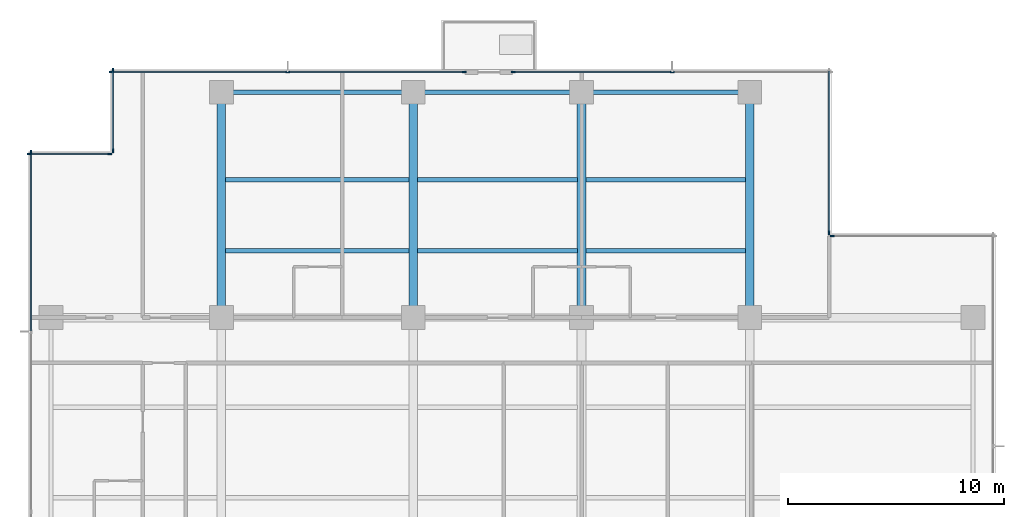
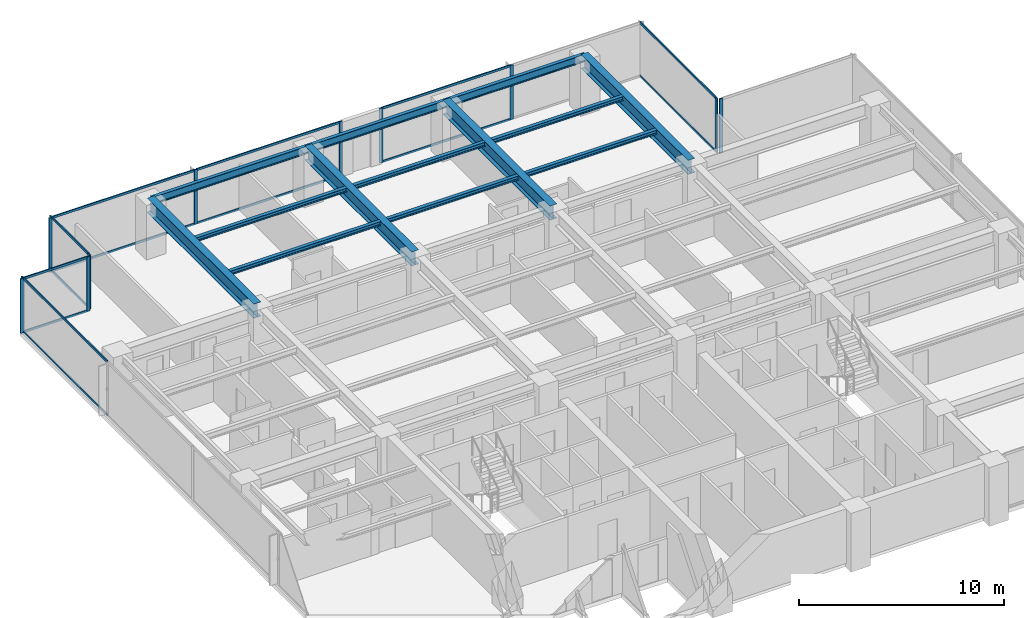
# One storey, part 4 of 15: 26 members, 13 beams, 7 elements without a shape of their own.
"""IFC4 building model written with IfcOpenShell, lengths in metres."""

from ifc_helpers import new_model, si_unit, direction, frame, origin, origin_2d, place, context, subcontext, project, spatial, rectangle, i_section, extrude, material, layer, layer_set, material_profile, profile_set, type_object, element, aggregate, save


model = new_model("IFC4")

# Units and contexts
model_context = context("Model", 3, precision=1e-05, world=origin(), true_north=direction((0.0, 1.0)))
body_context = subcontext(model_context, "Body", "Model", "MODEL_VIEW")
ifc_project = project(units=[si_unit("LENGTHUNIT", "METRE"), si_unit("AREAUNIT", "SQUARE_METRE"), si_unit("VOLUMEUNIT", "CUBIC_METRE"), si_unit("PLANEANGLEUNIT", "RADIAN"), si_unit("MASSUNIT", "GRAM", prefix="KILO")], contexts=[model_context])

# Site, building, storey
site_placement = place(None, origin())
site = spatial("IfcSite", under=ifc_project, at=site_placement, CompositionType="ELEMENT")
building_placement = place(site_placement, origin())
building = spatial("IfcBuilding", under=site, at=building_placement, Name="Qalmaran Belvedere Hotel", CompositionType="ELEMENT")
storey_placement = place(building_placement, frame((0.0, 0.0, 159.60009765625)))
storey = spatial("IfcBuildingStorey", under=building, at=storey_placement, Name="L40", CompositionType="ELEMENT", Elevation=159.60009765625)

# Beams
ifc_material_1 = material(Name="Steel S355JR", Category="steel")
ifc_material_profile_1 = material_profile(ifc_material_1, i_section(OverallWidth=0.201904296875, OverallDepth=0.2470703125, WebThickness=0.00732421875, FlangeThickness=0.010986328125, FilletRadius=0.011962890625, at=origin_2d()), Name="W250X49")
ifc_profile_set_1 = profile_set([ifc_material_profile_1], Name="Steel S355JR")
beam_type_1 = type_object("IfcBeamType", Name="BM-JST-W250X49", PredefinedType="JOIST", material=ifc_profile_set_1)
beam_1_placement = place(storey_placement, frame((20.498046875, 36.10009765625, 3.12646484375), z_axis=(1.0, 0.0, 0.0), x_axis=(0.0, 1.0, 0.0)))
element("IfcBeam", 1, at=beam_1_placement, inside=storey, type_object=beam_type_1, Name="L40 North Floor Joist 042", PredefinedType="JOIST", context=body_context, shape_type="SweptSolid", body=[
    extrude(i_section(OverallWidth=0.201904296875, OverallDepth=0.2470703125, WebThickness=0.00732421875, FlangeThickness=0.010986328125, FilletRadius=0.011962890625, at=origin_2d()), origin(), (0.0, 0.0, 1.0), 8.50390625),
])
for number, where, z_axis, x_axis, name in (
    (2, (29.39794921875, 36.10009765625, 3.12646484375), (1.0, 0.0, 0.0), (0.0, 1.0, 0.0), "L40 North Floor Joist 043"),
    (3, (37.197998046875, 36.10009765625, 3.12646484375), (1.0, 0.0, 0.0), (0.0, 1.0, 0.0), "L40 North Floor Joist 044"),
):
    element("IfcBeam", number, at=place(storey_placement, frame(where, z_axis=z_axis, x_axis=x_axis)), inside=storey, type_object=beam_type_1, Name=name, PredefinedType="JOIST", context=body_context, shape_type="SweptSolid", body=[
        extrude(i_section(OverallWidth=0.201904296875, OverallDepth=0.2470703125, WebThickness=0.00732421875, FlangeThickness=0.010986328125, FilletRadius=0.011962890625, at=origin_2d()), origin(), (0.0, 0.0, 1.0), 7.404052734375),
    ])
beam_2_placement = place(storey_placement, frame((20.498046875, 39.39990234375, 3.12646484375), z_axis=(1.0, 0.0, 0.0), x_axis=(0.0, 1.0, 0.0)))
element("IfcBeam", 4, at=beam_2_placement, inside=storey, type_object=beam_type_1, Name="L40 North Floor Joist 045", PredefinedType="JOIST", context=body_context, shape_type="SweptSolid", body=[
    extrude(i_section(OverallWidth=0.201904296875, OverallDepth=0.2470703125, WebThickness=0.00732421875, FlangeThickness=0.010986328125, FilletRadius=0.011962890625, at=origin_2d()), origin(), (0.0, 0.0, 1.0), 8.50390625),
])
for number, where, z_axis, x_axis, name in (
    (5, (29.39794921875, 39.39990234375, 3.12646484375), (1.0, 0.0, 0.0), (0.0, 1.0, 0.0), "L40 North Floor Joist 046"),
    (6, (37.197998046875, 39.39990234375, 3.12646484375), (1.0, 0.0, 0.0), (0.0, 1.0, 0.0), "L40 North Floor Joist 047"),
):
    element("IfcBeam", number, at=place(storey_placement, frame(where, z_axis=z_axis, x_axis=x_axis)), inside=storey, type_object=beam_type_1, Name=name, PredefinedType="JOIST", context=body_context, shape_type="SweptSolid", body=[
        extrude(i_section(OverallWidth=0.201904296875, OverallDepth=0.2470703125, WebThickness=0.00732421875, FlangeThickness=0.010986328125, FilletRadius=0.011962890625, at=origin_2d()), origin(), (0.0, 0.0, 1.0), 7.404052734375),
    ])
ifc_material_profile_2 = material_profile(ifc_material_1, i_section(OverallWidth=0.39990234375, OverallDepth=0.85498046875, WebThickness=0.018310546875, FlangeThickness=0.029296875, FilletRadius=0.02392578125, at=origin_2d()), Name="W840X299")
ifc_profile_set_2 = profile_set([ifc_material_profile_2], Name="Steel S355JR")
beam_type_2 = type_object("IfcBeamType", Name="BM-PG3-W840X299", PredefinedType="USERDEFINED", material=ifc_profile_set_2)
for number, where, z_axis, x_axis, name in (
    (7, (20.300048828125, 33.0, 2.822509765625), (0.0, 1.0, 0.0), (-1.0, 0.0, 0.0), "L40 North Bay Girder 15"),
    (8, (29.199951171875, 33.0, 2.822509765625), (0.0, 1.0, 0.0), (-1.0, 0.0, 0.0), "L40 North Bay Girder 17"),
    (9, (37.0, 33.0, 2.822509765625), (0.0, 1.0, 0.0), (-1.0, 0.0, 0.0), "L40 North Bay Girder 19"),
    (10, (44.800048828125, 33.0, 2.822509765625), (0.0, 1.0, 0.0), (-1.0, 0.0, 0.0), "L40 North Bay Girder 21"),
):
    element("IfcBeam", number, at=place(storey_placement, frame(where, z_axis=z_axis, x_axis=x_axis)), inside=storey, type_object=beam_type_2, Name=name, ObjectType="GIRDER", PredefinedType="USERDEFINED", context=body_context, shape_type="SweptSolid", body=[
        extrude(i_section(OverallWidth=0.39990234375, OverallDepth=0.85498046875, WebThickness=0.018310546875, FlangeThickness=0.029296875, FilletRadius=0.02392578125, at=origin_2d()), origin(), (0.0, 0.0, 1.0), 10.449951171875),
    ])
ifc_material_profile_3 = material_profile(ifc_material_1, i_section(OverallWidth=0.19189453125, OverallDepth=0.462890625, WebThickness=0.010498046875, FlangeThickness=0.017578125, FilletRadius=0.01611328125, at=origin_2d()), Name="W460X89")
ifc_profile_set_3 = profile_set([ifc_material_profile_3], Name="Steel S355JR")
beam_type_3 = type_object("IfcBeamType", Name="BM-SP2-W460X89", PredefinedType="SPANDREL", material=ifc_profile_set_3)
beam_3_placement = place(storey_placement, frame((20.300048828125, 43.449951171875, 3.018310546875), z_axis=(1.0, 0.0, 0.0), x_axis=(0.0, 1.0, 0.0)))
element("IfcBeam", 11, at=beam_3_placement, inside=storey, type_object=beam_type_3, Name="L40 Perimeter Spandrel 05", PredefinedType="SPANDREL", context=body_context, shape_type="SweptSolid", body=[
    extrude(i_section(OverallWidth=0.19189453125, OverallDepth=0.462890625, WebThickness=0.010498046875, FlangeThickness=0.017578125, FilletRadius=0.01611328125, at=origin_2d()), origin(), (0.0, 0.0, 1.0), 8.89990234375),
])
for number, where, z_axis, x_axis, name in (
    (12, (29.199951171875, 43.449951171875, 3.018310546875), (1.0, 0.0, 0.0), (0.0, 1.0, 0.0), "L40 Perimeter Spandrel 06"),
    (13, (37.0, 43.449951171875, 3.018310546875), (1.0, 0.0, 0.0), (0.0, 1.0, 0.0), "L40 Perimeter Spandrel 07"),
):
    element("IfcBeam", number, at=place(storey_placement, frame(where, z_axis=z_axis, x_axis=x_axis)), inside=storey, type_object=beam_type_3, Name=name, PredefinedType="SPANDREL", context=body_context, shape_type="SweptSolid", body=[
        extrude(i_section(OverallWidth=0.19189453125, OverallDepth=0.462890625, WebThickness=0.010498046875, FlangeThickness=0.017578125, FilletRadius=0.01611328125, at=origin_2d()), origin(), (0.0, 0.0, 1.0), 7.800048828125),
    ])

# Curtain wall, member
ifc_material_2 = material(Name="Anodised Bronze Aluminium", Category="aluminium")
ifc_layer = layer(ifc_material_2, 0.195068359375, Name="Anodised Bronze Aluminium")
ifc_layer_set = layer_set([ifc_layer], Name="Anodised Bronze Aluminium")
curtain_wall_type = type_object("IfcCurtainWallType", Name="CW4-TOWER-HIGHMID", PredefinedType="NOTDEFINED", material=ifc_layer_set)
curtain_wall_1_placement = place(storey_placement, origin())
curtain_wall_1 = element("IfcCurtainWall", 14, at=curtain_wall_1_placement, inside=storey, type_object=curtain_wall_type, Name="L40 Curtain Wall CW4", PredefinedType="NOTDEFINED")
ifc_material_profile_4 = material_profile(ifc_material_2, rectangle(XDim=0.070068359375, YDim=0.18994140625, at=origin_2d()), Name="CWM70X190")
ifc_profile_set_4 = profile_set([ifc_material_profile_4], Name="Anodised Bronze Aluminium")
member_type_1 = type_object("IfcMemberType", Name="CWM-70X190", PredefinedType="MULLION", material=ifc_profile_set_4)
member_1_placement = place(storey_placement, frame((48.635009765625, 36.780029296875, 0.0), z_axis=(0.0, 0.0, 1.0), x_axis=(0.0, -1.0, 0.0)))
member_1 = element("IfcMember", 15, at=member_1_placement, type_object=member_type_1, Name="CW4 mullion 2", PredefinedType="MULLION", context=body_context, shape_type="SweptSolid", body=[
    extrude(rectangle(XDim=0.070068359375, YDim=0.18994140625, at=origin_2d()), origin(), (0.0, 0.0, 1.0), 3.25),
])
aggregate(curtain_wall_1, [member_1])

curtain_wall_2_placement = place(storey_placement, origin())
curtain_wall_2 = element("IfcCurtainWall", 16, at=curtain_wall_2_placement, inside=storey, type_object=curtain_wall_type, Name="L40 Curtain Wall CW4", PredefinedType="NOTDEFINED")
member_2_placement = place(storey_placement, frame((48.47998046875, 36.93505859375, 0.0), z_axis=(0.0, 0.0, 1.0), x_axis=(-1.0, 0.0, 0.0)))
member_2 = element("IfcMember", 17, at=member_2_placement, type_object=member_type_1, Name="CW4 mullion 1", PredefinedType="MULLION", context=body_context, shape_type="SweptSolid", body=[
    extrude(rectangle(XDim=0.070068359375, YDim=0.18994140625, at=origin_2d()), origin(), (0.0, 0.0, 1.0), 3.25),
])

# Curtain wall, members
curtain_wall_3_placement = place(storey_placement, origin())
curtain_wall_3 = element("IfcCurtainWall", 18, at=curtain_wall_3_placement, inside=storey, type_object=curtain_wall_type, Name="L40 Curtain Wall CW4", PredefinedType="NOTDEFINED")
member_3_placement = place(storey_placement, frame((31.56494140625, 44.3798828125, 0.0), z_axis=(0.0, 0.0, 1.0), x_axis=(0.0, -1.0, 0.0)))
member_3 = element("IfcMember", 19, at=member_3_placement, type_object=member_type_1, Name="CW4 mullion 1", PredefinedType="MULLION", context=body_context, shape_type="SweptSolid", body=[
    extrude(rectangle(XDim=0.070068359375, YDim=0.18994140625, at=origin_2d()), origin(), (0.0, 0.0, 1.0), 3.25),
])
member_4_placement = place(storey_placement, frame((23.375, 44.3798828125, 0.0), z_axis=(0.0, 0.0, 1.0), x_axis=(0.0, -1.0, 0.0)))
member_4 = element("IfcMember", 20, at=member_4_placement, type_object=member_type_1, Name="CW4 mullion 2", PredefinedType="MULLION", context=body_context, shape_type="SweptSolid", body=[
    extrude(rectangle(XDim=0.070068359375, YDim=0.18994140625, at=origin_2d()), origin(), (0.0, 0.0, 1.0), 3.25),
])
member_5_placement = place(storey_placement, frame((15.18505859375, 44.3798828125, 0.0), z_axis=(0.0, 0.0, 1.0), x_axis=(0.0, -1.0, 0.0)))
member_5 = element("IfcMember", 21, at=member_5_placement, type_object=member_type_1, Name="CW4 mullion 3", PredefinedType="MULLION", context=body_context, shape_type="SweptSolid", body=[
    extrude(rectangle(XDim=0.070068359375, YDim=0.18994140625, at=origin_2d()), origin(), (0.0, 0.0, 1.0), 3.25),
])

curtain_wall_4_placement = place(storey_placement, origin())
curtain_wall_4 = element("IfcCurtainWall", 22, at=curtain_wall_4_placement, inside=storey, type_object=curtain_wall_type, Name="L40 Curtain Wall CW4", PredefinedType="NOTDEFINED")
member_6_placement = place(storey_placement, frame((41.199951171875, 44.3798828125, 0.0), z_axis=(0.0, 0.0, 1.0), x_axis=(0.0, -1.0, 0.0)))
member_6 = element("IfcMember", 23, at=member_6_placement, type_object=member_type_1, Name="CW4 mullion 2", PredefinedType="MULLION", context=body_context, shape_type="SweptSolid", body=[
    extrude(rectangle(XDim=0.070068359375, YDim=0.18994140625, at=origin_2d()), origin(), (0.0, 0.0, 1.0), 3.25),
])
member_7_placement = place(storey_placement, frame((33.8349609375, 44.3798828125, 0.0), z_axis=(0.0, 0.0, 1.0), x_axis=(0.0, -1.0, 0.0)))
member_7 = element("IfcMember", 24, at=member_7_placement, type_object=member_type_1, Name="CW4 mullion 3", PredefinedType="MULLION", context=body_context, shape_type="SweptSolid", body=[
    extrude(rectangle(XDim=0.070068359375, YDim=0.18994140625, at=origin_2d()), origin(), (0.0, 0.0, 1.0), 3.25),
])

curtain_wall_5_placement = place(storey_placement, origin())
curtain_wall_5 = element("IfcCurtainWall", 25, at=curtain_wall_5_placement, inside=storey, type_object=curtain_wall_type, Name="L40 Curtain Wall CW4", PredefinedType="NOTDEFINED")
member_8_placement = place(storey_placement, frame((15.27001953125, 44.465087890625, 0.0), z_axis=(0.0, 0.0, 1.0), x_axis=(1.0, 0.0, 0.0)))
member_8 = element("IfcMember", 26, at=member_8_placement, type_object=member_type_1, Name="CW4 mullion 1", PredefinedType="MULLION", context=body_context, shape_type="SweptSolid", body=[
    extrude(rectangle(XDim=0.070068359375, YDim=0.18994140625, at=origin_2d()), origin(), (0.0, 0.0, 1.0), 3.25),
])
member_9_placement = place(storey_placement, frame((15.27001953125, 40.735107421875, 0.0), z_axis=(0.0, 0.0, 1.0), x_axis=(1.0, 0.0, 0.0)))
member_9 = element("IfcMember", 27, at=member_9_placement, type_object=member_type_1, Name="CW4 mullion 2", PredefinedType="MULLION", context=body_context, shape_type="SweptSolid", body=[
    extrude(rectangle(XDim=0.070068359375, YDim=0.18994140625, at=origin_2d()), origin(), (0.0, 0.0, 1.0), 3.25),
])

curtain_wall_6_placement = place(storey_placement, origin())
curtain_wall_6 = element("IfcCurtainWall", 28, at=curtain_wall_6_placement, inside=storey, type_object=curtain_wall_type, Name="L40 Curtain Wall CW4", PredefinedType="NOTDEFINED")
member_10_placement = place(storey_placement, frame((15.114990234375, 40.580078125, 0.0), z_axis=(0.0, 0.0, 1.0), x_axis=(0.0, -1.0, 0.0)))
member_10 = element("IfcMember", 29, at=member_10_placement, type_object=member_type_1, Name="CW4 mullion 1", PredefinedType="MULLION", context=body_context, shape_type="SweptSolid", body=[
    extrude(rectangle(XDim=0.070068359375, YDim=0.18994140625, at=origin_2d()), origin(), (0.0, 0.0, 1.0), 3.25),
])
member_11_placement = place(storey_placement, frame((11.385009765625, 40.580078125, 0.0), z_axis=(0.0, 0.0, 1.0), x_axis=(0.0, -1.0, 0.0)))
member_11 = element("IfcMember", 30, at=member_11_placement, type_object=member_type_1, Name="CW4 mullion 2", PredefinedType="MULLION", context=body_context, shape_type="SweptSolid", body=[
    extrude(rectangle(XDim=0.070068359375, YDim=0.18994140625, at=origin_2d()), origin(), (0.0, 0.0, 1.0), 3.25),
])

# Curtain wall, member
curtain_wall_7_placement = place(storey_placement, origin())
curtain_wall_7 = element("IfcCurtainWall", 31, at=curtain_wall_7_placement, inside=storey, type_object=curtain_wall_type, Name="L40 Curtain Wall CW4", PredefinedType="NOTDEFINED")
member_12_placement = place(storey_placement, frame((11.469970703125, 40.6650390625, 0.0), z_axis=(0.0, 0.0, 1.0), x_axis=(1.0, 0.0, 0.0)))
member_12 = element("IfcMember", 32, at=member_12_placement, type_object=member_type_1, Name="CW4 mullion 1", PredefinedType="MULLION", context=body_context, shape_type="SweptSolid", body=[
    extrude(rectangle(XDim=0.070068359375, YDim=0.18994140625, at=origin_2d()), origin(), (0.0, 0.0, 1.0), 3.25),
])

# Member
ifc_material_profile_5 = material_profile(ifc_material_2, rectangle(XDim=0.06494140625, YDim=0.1298828125, at=origin_2d()), Name="CWT65X130")
ifc_profile_set_5 = profile_set([ifc_material_profile_5], Name="Anodised Bronze Aluminium")
member_type_2 = type_object("IfcMemberType", Name="CWT-65X130", PredefinedType="USERDEFINED", material=ifc_profile_set_5)
member_13_placement = place(storey_placement, frame((48.47998046875, 36.969970703125, 0.032470703125), z_axis=(0.0, 1.0, 0.0), x_axis=(-1.0, 0.0, 0.0)))
member_13 = element("IfcMember", 33, at=member_13_placement, type_object=member_type_2, Name="CW4 transom 1.1", ObjectType="TRANSOM", PredefinedType="USERDEFINED", context=body_context, shape_type="SweptSolid", body=[
    extrude(rectangle(XDim=0.06494140625, YDim=0.1298828125, at=origin_2d()), origin(), (0.0, 0.0, 1.0), 7.4599609375),
])

member_14_placement = place(storey_placement, frame((48.47998046875, 36.969970703125, 3.21728515625), z_axis=(0.0, 1.0, 0.0), x_axis=(-1.0, 0.0, 0.0)))
member_14 = element("IfcMember", 34, at=member_14_placement, type_object=member_type_2, Name="CW4 transom 1.2", ObjectType="TRANSOM", PredefinedType="USERDEFINED", context=body_context, shape_type="SweptSolid", body=[
    extrude(rectangle(XDim=0.06494140625, YDim=0.1298828125, at=origin_2d()), origin(), (0.0, 0.0, 1.0), 7.4599609375),
])

aggregate(curtain_wall_2, [member_2, member_13, member_14])

member_15_placement = place(storey_placement, frame((31.530029296875, 44.3798828125, 0.032470703125), z_axis=(-1.0, 0.0, 0.0), x_axis=(0.0, -1.0, 0.0)))
member_15 = element("IfcMember", 35, at=member_15_placement, type_object=member_type_2, Name="CW4 transom 1.1", ObjectType="TRANSOM", PredefinedType="USERDEFINED", context=body_context, shape_type="SweptSolid", body=[
    extrude(rectangle(XDim=0.06494140625, YDim=0.1298828125, at=origin_2d()), origin(), (0.0, 0.0, 1.0), 8.1201171875),
])

member_16_placement = place(storey_placement, frame((31.530029296875, 44.3798828125, 3.21728515625), z_axis=(-1.0, 0.0, 0.0), x_axis=(0.0, -1.0, 0.0)))
member_16 = element("IfcMember", 36, at=member_16_placement, type_object=member_type_2, Name="CW4 transom 1.2", ObjectType="TRANSOM", PredefinedType="USERDEFINED", context=body_context, shape_type="SweptSolid", body=[
    extrude(rectangle(XDim=0.06494140625, YDim=0.1298828125, at=origin_2d()), origin(), (0.0, 0.0, 1.0), 8.1201171875),
])

member_17_placement = place(storey_placement, frame((23.340087890625, 44.3798828125, 0.032470703125), z_axis=(-1.0, 0.0, 0.0), x_axis=(0.0, -1.0, 0.0)))
member_17 = element("IfcMember", 37, at=member_17_placement, type_object=member_type_2, Name="CW4 transom 2.1", ObjectType="TRANSOM", PredefinedType="USERDEFINED", context=body_context, shape_type="SweptSolid", body=[
    extrude(rectangle(XDim=0.06494140625, YDim=0.1298828125, at=origin_2d()), origin(), (0.0, 0.0, 1.0), 8.1201171875),
])

member_18_placement = place(storey_placement, frame((23.340087890625, 44.3798828125, 3.21728515625), z_axis=(-1.0, 0.0, 0.0), x_axis=(0.0, -1.0, 0.0)))
member_18 = element("IfcMember", 38, at=member_18_placement, type_object=member_type_2, Name="CW4 transom 2.2", ObjectType="TRANSOM", PredefinedType="USERDEFINED", context=body_context, shape_type="SweptSolid", body=[
    extrude(rectangle(XDim=0.06494140625, YDim=0.1298828125, at=origin_2d()), origin(), (0.0, 0.0, 1.0), 8.1201171875),
])

aggregate(curtain_wall_3, [member_3, member_4, member_5, member_15, member_16, member_17, member_18])

member_19_placement = place(storey_placement, frame((41.1650390625, 44.3798828125, 0.032470703125), z_axis=(-1.0, 0.0, 0.0), x_axis=(0.0, -1.0, 0.0)))
member_19 = element("IfcMember", 39, at=member_19_placement, type_object=member_type_2, Name="CW4 transom 2.1", ObjectType="TRANSOM", PredefinedType="USERDEFINED", context=body_context, shape_type="SweptSolid", body=[
    extrude(rectangle(XDim=0.06494140625, YDim=0.1298828125, at=origin_2d()), origin(), (0.0, 0.0, 1.0), 7.294921875),
])

member_20_placement = place(storey_placement, frame((41.1650390625, 44.3798828125, 3.21728515625), z_axis=(-1.0, 0.0, 0.0), x_axis=(0.0, -1.0, 0.0)))
member_20 = element("IfcMember", 40, at=member_20_placement, type_object=member_type_2, Name="CW4 transom 2.2", ObjectType="TRANSOM", PredefinedType="USERDEFINED", context=body_context, shape_type="SweptSolid", body=[
    extrude(rectangle(XDim=0.06494140625, YDim=0.1298828125, at=origin_2d()), origin(), (0.0, 0.0, 1.0), 7.294921875),
])

aggregate(curtain_wall_4, [member_6, member_7, member_19, member_20])

member_21_placement = place(storey_placement, frame((15.27001953125, 44.429931640625, 0.032470703125), z_axis=(0.0, -1.0, 0.0), x_axis=(1.0, 0.0, 0.0)))
member_21 = element("IfcMember", 41, at=member_21_placement, type_object=member_type_2, Name="CW4 transom 1.1", ObjectType="TRANSOM", PredefinedType="USERDEFINED", context=body_context, shape_type="SweptSolid", body=[
    extrude(rectangle(XDim=0.06494140625, YDim=0.1298828125, at=origin_2d()), origin(), (0.0, 0.0, 1.0), 3.659912109375),
])

member_22_placement = place(storey_placement, frame((15.27001953125, 44.429931640625, 3.21728515625), z_axis=(0.0, -1.0, 0.0), x_axis=(1.0, 0.0, 0.0)))
member_22 = element("IfcMember", 42, at=member_22_placement, type_object=member_type_2, Name="CW4 transom 1.2", ObjectType="TRANSOM", PredefinedType="USERDEFINED", context=body_context, shape_type="SweptSolid", body=[
    extrude(rectangle(XDim=0.06494140625, YDim=0.1298828125, at=origin_2d()), origin(), (0.0, 0.0, 1.0), 3.659912109375),
])

aggregate(curtain_wall_5, [member_8, member_9, member_21, member_22])

member_23_placement = place(storey_placement, frame((15.080078125, 40.580078125, 0.032470703125), z_axis=(-1.0, 0.0, 0.0), x_axis=(0.0, -1.0, 0.0)))
member_23 = element("IfcMember", 43, at=member_23_placement, type_object=member_type_2, Name="CW4 transom 1.1", ObjectType="TRANSOM", PredefinedType="USERDEFINED", context=body_context, shape_type="SweptSolid", body=[
    extrude(rectangle(XDim=0.06494140625, YDim=0.1298828125, at=origin_2d()), origin(), (0.0, 0.0, 1.0), 3.66015625),
])

member_24_placement = place(storey_placement, frame((15.080078125, 40.580078125, 3.21728515625), z_axis=(-1.0, 0.0, 0.0), x_axis=(0.0, -1.0, 0.0)))
member_24 = element("IfcMember", 44, at=member_24_placement, type_object=member_type_2, Name="CW4 transom 1.2", ObjectType="TRANSOM", PredefinedType="USERDEFINED", context=body_context, shape_type="SweptSolid", body=[
    extrude(rectangle(XDim=0.06494140625, YDim=0.1298828125, at=origin_2d()), origin(), (0.0, 0.0, 1.0), 3.66015625),
])

aggregate(curtain_wall_6, [member_10, member_11, member_23, member_24])

member_25_placement = place(storey_placement, frame((11.469970703125, 40.6298828125, 0.032470703125), z_axis=(0.0, -1.0, 0.0), x_axis=(1.0, 0.0, 0.0)))
member_25 = element("IfcMember", 45, at=member_25_placement, type_object=member_type_2, Name="CW4 transom 1.1", ObjectType="TRANSOM", PredefinedType="USERDEFINED", context=body_context, shape_type="SweptSolid", body=[
    extrude(rectangle(XDim=0.06494140625, YDim=0.1298828125, at=origin_2d()), origin(), (0.0, 0.0, 1.0), 8.244873046875),
])

member_26_placement = place(storey_placement, frame((11.469970703125, 40.6298828125, 3.21728515625), z_axis=(0.0, -1.0, 0.0), x_axis=(1.0, 0.0, 0.0)))
member_26 = element("IfcMember", 46, at=member_26_placement, type_object=member_type_2, Name="CW4 transom 1.2", ObjectType="TRANSOM", PredefinedType="USERDEFINED", context=body_context, shape_type="SweptSolid", body=[
    extrude(rectangle(XDim=0.06494140625, YDim=0.1298828125, at=origin_2d()), origin(), (0.0, 0.0, 1.0), 8.244873046875),
])

aggregate(curtain_wall_7, [member_12, member_25, member_26])

save(model, "model.ifc")
